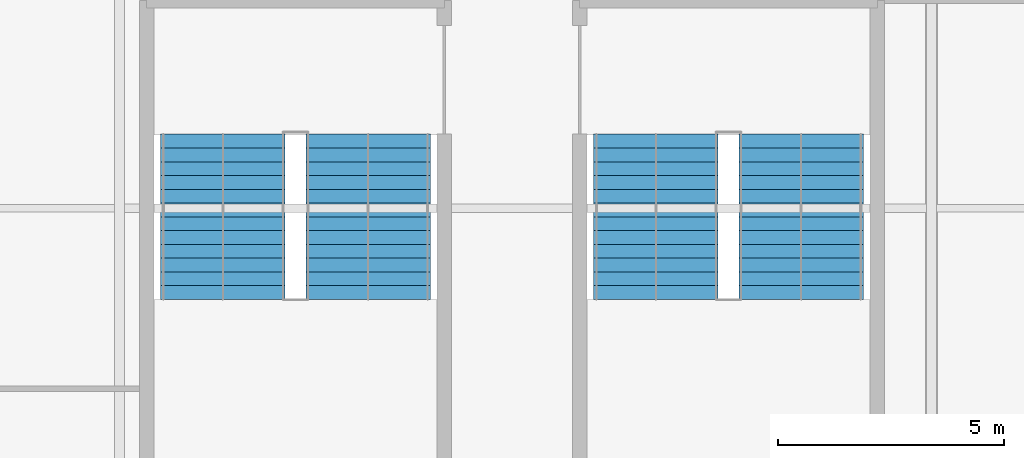
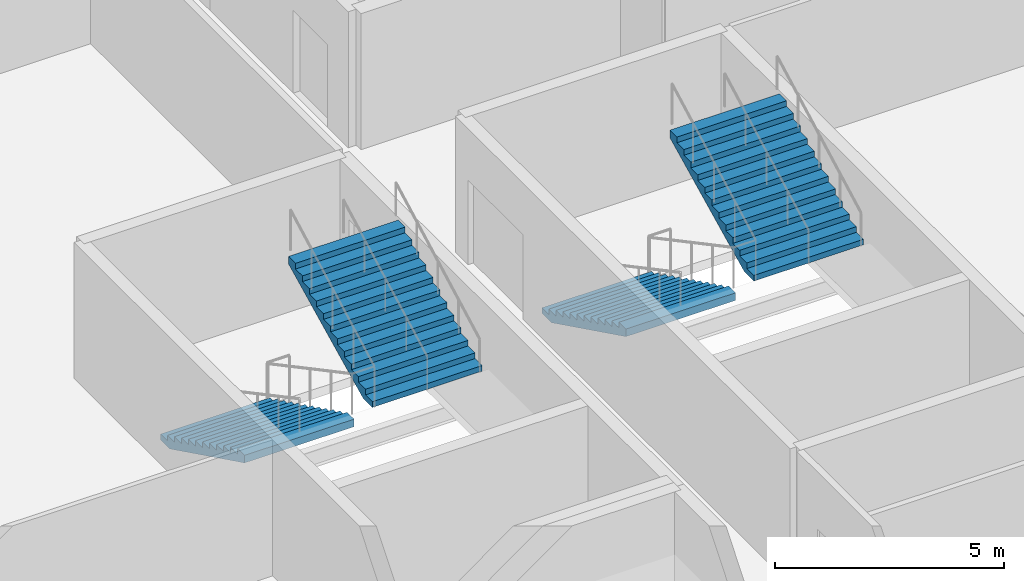
# One storey, part 26 of 31: 4 stair flights, 2 elements without a shape of their own.
"""IFC4 building model written with IfcOpenShell, lengths in metres."""

from ifc_helpers import new_model, si_unit, direction, frame, origin, place, context, subcontext, project, spatial, polygons, material, type_object, element, aggregate, save


model = new_model("IFC4")

# Units and contexts
model_context = context("Model", 3, precision=1e-05, world=origin(), true_north=direction((0.0, 1.0)))
body_context = subcontext(model_context, "Body", "Model", "MODEL_VIEW")
ifc_project = project(units=[si_unit("LENGTHUNIT", "METRE"), si_unit("AREAUNIT", "SQUARE_METRE"), si_unit("VOLUMEUNIT", "CUBIC_METRE"), si_unit("PLANEANGLEUNIT", "RADIAN"), si_unit("MASSUNIT", "GRAM", prefix="KILO")], contexts=[model_context])

# Site, building, storey
site_placement = place(None, origin())
site = spatial("IfcSite", under=ifc_project, at=site_placement, CompositionType="ELEMENT")
building_placement = place(site_placement, origin())
building = spatial("IfcBuilding", under=site, at=building_placement, Name="Kisiwana Market Hall", CompositionType="ELEMENT")
storey_placement = place(building_placement, frame((0.0, 0.0, 45.60009765625)))
storey = spatial("IfcBuildingStorey", under=building, at=storey_placement, Name="L10", CompositionType="ELEMENT", Elevation=45.60009765625)

# Stair, stair flights
ifc_material_1 = material(Name="Concrete C32/40", Category="concrete")
stair_type = type_object("IfcStairType", Name="ST-ESC-3900", PredefinedType="TWO_STRAIGHT_RUN_STAIR", material=ifc_material_1)
stair_1_placement = place(storey_placement, origin())
stair_1 = element("IfcStair", 1, at=stair_1_placement, inside=storey, type_object=stair_type, Name="Escape stair ST-E4-L10", PredefinedType="TWO_STRAIGHT_RUN_STAIR")
ifc_material_2 = material(Name="Concrete C32/40", Category="concrete")
stair_flight_type = type_object("IfcStairFlightType", Name="SF-ESC-3900", PredefinedType="STRAIGHT", material=ifc_material_2)
stair_flight_1_placement = place(storey_placement, frame((182.889892578125, 77.639892578125, 0.0), z_axis=(0.0, 0.0, 1.0), x_axis=(0.0, -1.0, 0.0)))
stair_flight_1 = element("IfcStairFlight", 2, at=stair_flight_1_placement, type_object=stair_flight_type, Name="ST-E4-L10 flight 1", NumberOfRisers=13, NumberOfTreads=12, PredefinedType="STRAIGHT", RiserHeight=0.15, TreadLength=0.305, context=body_context, shape_type="Tessellation", body=[
    polygons([(0.0, -1.380127, 0.0), (0.0, -0.690125, 0.0), (0.0, -0.000122, 0.0), (0.0, 0.68988, 0.0), (0.0, 1.379883, 0.0), (0.0, -1.380127, 0.149902), (0.0, -0.690125, 0.149902), (0.0, -0.000122, 0.149902), (0.0, 0.68988, 0.149902), (0.0, 1.379883, 0.149902), (0.304932, -1.380127, 0.149902), (0.304932, -0.690125, 0.149902), (0.304932, -0.000122, 0.149902), (0.304932, 0.68988, 0.149902), (0.304932, 1.379883, 0.149902), (0.304932, -1.380127, 0.300049), (0.304932, -0.690125, 0.300049), (0.304932, -0.000122, 0.300049), (0.304932, 0.68988, 0.300049), (0.304932, 1.379883, 0.300049), (0.610107, -1.380127, 0.300049), (0.610107, -0.690125, 0.300049), (0.610107, -0.000122, 0.300049), (0.610107, 0.68988, 0.300049), (0.610107, 1.379883, 0.300049), (0.610107, -1.380127, 0.449951), (0.610107, -0.690125, 0.449951), (0.610107, -0.000122, 0.449951), (0.610107, 0.68988, 0.449951), (0.610107, 1.379883, 0.449951), (0.915039, -1.380127, 0.449951), (0.915039, -0.690125, 0.449951), (0.915039, -0.000122, 0.449951), (0.915039, 0.68988, 0.449951), (0.915039, 1.379883, 0.449951), (0.915039, -1.380127, 0.600098), (0.915039, -0.690125, 0.600098), (0.915039, -0.000122, 0.600098), (0.915039, 0.68988, 0.600098), (0.915039, 1.379883, 0.600098), (1.219971, -1.380127, 0.600098), (1.219971, -0.690125, 0.600098), (1.219971, -0.000122, 0.600098), (1.219971, 0.68988, 0.600098), (1.219971, 1.379883, 0.600098), (1.219971, -1.380127, 0.75), (1.219971, -0.690125, 0.75), (1.219971, -0.000122, 0.75), (1.219971, 0.68988, 0.75), (1.219971, 1.379883, 0.75), (1.524902, -1.380127, 0.75), (1.524902, -0.690125, 0.75), (1.524902, -0.000122, 0.75), (1.524902, 0.68988, 0.75), (1.524902, 1.379883, 0.75), (1.524902, -1.380127, 0.899902), (1.524902, -0.690125, 0.899902), (1.524902, -0.000122, 0.899902), (1.524902, 0.68988, 0.899902), (1.524902, 1.379883, 0.899902), (1.830078, -1.380127, 0.899902), (1.830078, -0.690125, 0.899902), (1.830078, -0.000122, 0.899902), (1.830078, 0.68988, 0.899902), (1.830078, 1.379883, 0.899902), (1.830078, -1.380127, 1.050049), (1.830078, -0.690125, 1.050049), (1.830078, -0.000122, 1.050049), (1.830078, 0.68988, 1.050049), (1.830078, 1.379883, 1.050049), (2.13501, -1.380127, 1.050049), (2.13501, -0.690125, 1.050049), (2.13501, -0.000122, 1.050049), (2.13501, 0.68988, 1.050049), (2.13501, 1.379883, 1.050049), (2.13501, -1.380127, 1.199951), (2.13501, -0.690125, 1.199951), (2.13501, -0.000122, 1.199951), (2.13501, 0.68988, 1.199951), (2.13501, 1.379883, 1.199951), (2.439941, -1.380127, 1.199951), (2.439941, -0.690125, 1.199951), (2.439941, -0.000122, 1.199951), (2.439941, 0.68988, 1.199951), (2.439941, 1.379883, 1.199951), (2.439941, -1.380127, 1.350098), (2.439941, -0.690125, 1.350098), (2.439941, -0.000122, 1.350098), (2.439941, 0.68988, 1.350098), (2.439941, 1.379883, 1.350098), (2.745117, -1.380127, 1.350098), (2.745117, -0.690125, 1.350098), (2.745117, -0.000122, 1.350098), (2.745117, 0.68988, 1.350098), (2.745117, 1.379883, 1.350098), (2.745117, -1.380127, 1.5), (2.745117, -0.690125, 1.5), (2.745117, -0.000122, 1.5), (2.745117, 0.68988, 1.5), (2.745117, 1.379883, 1.5), (3.050049, -1.380127, 1.5), (3.050049, -0.690125, 1.5), (3.050049, -0.000122, 1.5), (3.050049, 0.68988, 1.5), (3.050049, 1.379883, 1.5), (3.050049, -1.380127, 1.649902), (3.050049, -0.690125, 1.649902), (3.050049, -0.000122, 1.649902), (3.050049, 0.68988, 1.649902), (3.050049, 1.379883, 1.649902), (3.35498, -1.380127, 1.649902), (3.35498, -0.690125, 1.649902), (3.35498, -0.000122, 1.649902), (3.35498, 0.68988, 1.649902), (3.35498, 1.379883, 1.649902), (3.35498, -1.380127, 1.800049), (3.35498, -0.690125, 1.800049), (3.35498, -0.000122, 1.800049), (3.35498, 0.68988, 1.800049), (3.35498, 1.379883, 1.800049), (3.659912, -1.380127, 1.800049), (3.659912, -0.690125, 1.800049), (3.659912, -0.000122, 1.800049), (3.659912, 0.68988, 1.800049), (3.659912, 1.379883, 1.800049), (3.659912, -1.380127, 1.599365), (3.659912, -0.690125, 1.599365), (3.659912, -0.000122, 1.599365), (3.659912, 0.68988, 1.599365), (3.659912, 1.379883, 1.599365), (0.407715, -1.380127, 0.0), (0.407715, -0.690125, 0.0), (0.407715, -0.000122, 0.0), (0.407715, 0.68988, 0.0), (0.407715, 1.379883, 0.0)], [[[1, 6, 7, 2]], [[2, 7, 8, 3]], [[3, 8, 9, 4]], [[4, 9, 10, 5]], [[6, 11, 12, 7]], [[7, 12, 13, 8]], [[8, 13, 14, 9]], [[9, 14, 15, 10]], [[11, 16, 17, 12]], [[12, 17, 18, 13]], [[13, 18, 19, 14]], [[14, 19, 20, 15]], [[16, 21, 22, 17]], [[17, 22, 23, 18]], [[18, 23, 24, 19]], [[19, 24, 25, 20]], [[21, 26, 27, 22]], [[22, 27, 28, 23]], [[23, 28, 29, 24]], [[24, 29, 30, 25]], [[26, 31, 32, 27]], [[27, 32, 33, 28]], [[28, 33, 34, 29]], [[29, 34, 35, 30]], [[31, 36, 37, 32]], [[32, 37, 38, 33]], [[33, 38, 39, 34]], [[34, 39, 40, 35]], [[36, 41, 42, 37]], [[37, 42, 43, 38]], [[38, 43, 44, 39]], [[39, 44, 45, 40]], [[41, 46, 47, 42]], [[42, 47, 48, 43]], [[43, 48, 49, 44]], [[44, 49, 50, 45]], [[46, 51, 52, 47]], [[47, 52, 53, 48]], [[48, 53, 54, 49]], [[49, 54, 55, 50]], [[51, 56, 57, 52]], [[52, 57, 58, 53]], [[53, 58, 59, 54]], [[54, 59, 60, 55]], [[56, 61, 62, 57]], [[57, 62, 63, 58]], [[58, 63, 64, 59]], [[59, 64, 65, 60]], [[61, 66, 67, 62]], [[62, 67, 68, 63]], [[63, 68, 69, 64]], [[64, 69, 70, 65]], [[66, 71, 72, 67]], [[67, 72, 73, 68]], [[68, 73, 74, 69]], [[69, 74, 75, 70]], [[71, 76, 77, 72]], [[72, 77, 78, 73]], [[73, 78, 79, 74]], [[74, 79, 80, 75]], [[76, 81, 82, 77]], [[77, 82, 83, 78]], [[78, 83, 84, 79]], [[79, 84, 85, 80]], [[81, 86, 87, 82]], [[82, 87, 88, 83]], [[83, 88, 89, 84]], [[84, 89, 90, 85]], [[86, 91, 92, 87]], [[87, 92, 93, 88]], [[88, 93, 94, 89]], [[89, 94, 95, 90]], [[91, 96, 97, 92]], [[92, 97, 98, 93]], [[93, 98, 99, 94]], [[94, 99, 100, 95]], [[96, 101, 102, 97]], [[97, 102, 103, 98]], [[98, 103, 104, 99]], [[99, 104, 105, 100]], [[101, 106, 107, 102]], [[102, 107, 108, 103]], [[103, 108, 109, 104]], [[104, 109, 110, 105]], [[106, 111, 112, 107]], [[107, 112, 113, 108]], [[108, 113, 114, 109]], [[109, 114, 115, 110]], [[111, 116, 117, 112]], [[112, 117, 118, 113]], [[113, 118, 119, 114]], [[114, 119, 120, 115]], [[116, 121, 122, 117]], [[117, 122, 123, 118]], [[118, 123, 124, 119]], [[119, 124, 125, 120]], [[121, 126, 127, 122]], [[122, 127, 128, 123]], [[123, 128, 129, 124]], [[124, 129, 130, 125]], [[126, 131, 132, 127]], [[127, 132, 133, 128]], [[128, 133, 134, 129]], [[129, 134, 135, 130]], [[131, 1, 2, 132]], [[132, 2, 3, 133]], [[133, 3, 4, 134]], [[134, 4, 5, 135]], [[131, 126, 121, 116, 111, 106, 101, 96, 91, 86, 81, 76, 71, 66, 61, 56, 51, 46, 41, 36, 31, 26, 21, 16, 11, 6, 1]], [[5, 10, 15, 20, 25, 30, 35, 40, 45, 50, 55, 60, 65, 70, 75, 80, 85, 90, 95, 100, 105, 110, 115, 120, 125, 130, 135]]], closed=True),
])
stair_flight_2_placement = place(storey_placement, frame((186.110107421875, 73.97998046875, 1.949951171875), z_axis=(0.0, 0.0, 1.0), x_axis=(0.0, 1.0, 0.0)))
stair_flight_2 = element("IfcStairFlight", 3, at=stair_flight_2_placement, type_object=stair_flight_type, Name="ST-E4-L10 flight 2", NumberOfRisers=13, NumberOfTreads=12, PredefinedType="STRAIGHT", RiserHeight=0.15, TreadLength=0.305, context=body_context, shape_type="Tessellation", body=[
    polygons([(0.0, -1.380127, 0.0), (0.0, -0.690125, 0.0), (0.0, -0.000122, 0.0), (0.0, 0.68988, 0.0), (0.0, 1.379883, 0.0), (0.0, -1.380127, 0.149902), (0.0, -0.690125, 0.149902), (0.0, -0.000122, 0.149902), (0.0, 0.68988, 0.149902), (0.0, 1.379883, 0.149902), (0.304932, -1.380127, 0.149902), (0.304932, -0.690125, 0.149902), (0.304932, -0.000122, 0.149902), (0.304932, 0.68988, 0.149902), (0.304932, 1.379883, 0.149902), (0.304932, -1.380127, 0.300049), (0.304932, -0.690125, 0.300049), (0.304932, -0.000122, 0.300049), (0.304932, 0.68988, 0.300049), (0.304932, 1.379883, 0.300049), (0.610107, -1.380127, 0.300049), (0.610107, -0.690125, 0.300049), (0.610107, -0.000122, 0.300049), (0.610107, 0.68988, 0.300049), (0.610107, 1.379883, 0.300049), (0.610107, -1.380127, 0.449951), (0.610107, -0.690125, 0.449951), (0.610107, -0.000122, 0.449951), (0.610107, 0.68988, 0.449951), (0.610107, 1.379883, 0.449951), (0.915039, -1.380127, 0.449951), (0.915039, -0.690125, 0.449951), (0.915039, -0.000122, 0.449951), (0.915039, 0.68988, 0.449951), (0.915039, 1.379883, 0.449951), (0.915039, -1.380127, 0.600098), (0.915039, -0.690125, 0.600098), (0.915039, -0.000122, 0.600098), (0.915039, 0.68988, 0.600098), (0.915039, 1.379883, 0.600098), (1.219971, -1.380127, 0.600098), (1.219971, -0.690125, 0.600098), (1.219971, -0.000122, 0.600098), (1.219971, 0.68988, 0.600098), (1.219971, 1.379883, 0.600098), (1.219971, -1.380127, 0.75), (1.219971, -0.690125, 0.75), (1.219971, -0.000122, 0.75), (1.219971, 0.68988, 0.75), (1.219971, 1.379883, 0.75), (1.524902, -1.380127, 0.75), (1.524902, -0.690125, 0.75), (1.524902, -0.000122, 0.75), (1.524902, 0.68988, 0.75), (1.524902, 1.379883, 0.75), (1.524902, -1.380127, 0.899902), (1.524902, -0.690125, 0.899902), (1.524902, -0.000122, 0.899902), (1.524902, 0.68988, 0.899902), (1.524902, 1.379883, 0.899902), (1.830078, -1.380127, 0.899902), (1.830078, -0.690125, 0.899902), (1.830078, -0.000122, 0.899902), (1.830078, 0.68988, 0.899902), (1.830078, 1.379883, 0.899902), (1.830078, -1.380127, 1.050049), (1.830078, -0.690125, 1.050049), (1.830078, -0.000122, 1.050049), (1.830078, 0.68988, 1.050049), (1.830078, 1.379883, 1.050049), (2.13501, -1.380127, 1.050049), (2.13501, -0.690125, 1.050049), (2.13501, -0.000122, 1.050049), (2.13501, 0.68988, 1.050049), (2.13501, 1.379883, 1.050049), (2.13501, -1.380127, 1.199951), (2.13501, -0.690125, 1.199951), (2.13501, -0.000122, 1.199951), (2.13501, 0.68988, 1.199951), (2.13501, 1.379883, 1.199951), (2.439941, -1.380127, 1.199951), (2.439941, -0.690125, 1.199951), (2.439941, -0.000122, 1.199951), (2.439941, 0.68988, 1.199951), (2.439941, 1.379883, 1.199951), (2.439941, -1.380127, 1.350098), (2.439941, -0.690125, 1.350098), (2.439941, -0.000122, 1.350098), (2.439941, 0.68988, 1.350098), (2.439941, 1.379883, 1.350098), (2.745117, -1.380127, 1.350098), (2.745117, -0.690125, 1.350098), (2.745117, -0.000122, 1.350098), (2.745117, 0.68988, 1.350098), (2.745117, 1.379883, 1.350098), (2.745117, -1.380127, 1.5), (2.745117, -0.690125, 1.5), (2.745117, -0.000122, 1.5), (2.745117, 0.68988, 1.5), (2.745117, 1.379883, 1.5), (3.050049, -1.380127, 1.5), (3.050049, -0.690125, 1.5), (3.050049, -0.000122, 1.5), (3.050049, 0.68988, 1.5), (3.050049, 1.379883, 1.5), (3.050049, -1.380127, 1.649902), (3.050049, -0.690125, 1.649902), (3.050049, -0.000122, 1.649902), (3.050049, 0.68988, 1.649902), (3.050049, 1.379883, 1.649902), (3.35498, -1.380127, 1.649902), (3.35498, -0.690125, 1.649902), (3.35498, -0.000122, 1.649902), (3.35498, 0.68988, 1.649902), (3.35498, 1.379883, 1.649902), (3.35498, -1.380127, 1.800049), (3.35498, -0.690125, 1.800049), (3.35498, -0.000122, 1.800049), (3.35498, 0.68988, 1.800049), (3.35498, 1.379883, 1.800049), (3.659912, -1.380127, 1.800049), (3.659912, -0.690125, 1.800049), (3.659912, -0.000122, 1.800049), (3.659912, 0.68988, 1.800049), (3.659912, 1.379883, 1.800049), (3.659912, -1.380127, 1.599365), (3.659912, -0.690125, 1.599365), (3.659912, -0.000122, 1.599365), (3.659912, 0.68988, 1.599365), (3.659912, 1.379883, 1.599365), (0.407715, -1.380127, 0.0), (0.407715, -0.690125, 0.0), (0.407715, -0.000122, 0.0), (0.407715, 0.68988, 0.0), (0.407715, 1.379883, 0.0)], [[[1, 6, 7, 2]], [[2, 7, 8, 3]], [[3, 8, 9, 4]], [[4, 9, 10, 5]], [[6, 11, 12, 7]], [[7, 12, 13, 8]], [[8, 13, 14, 9]], [[9, 14, 15, 10]], [[11, 16, 17, 12]], [[12, 17, 18, 13]], [[13, 18, 19, 14]], [[14, 19, 20, 15]], [[16, 21, 22, 17]], [[17, 22, 23, 18]], [[18, 23, 24, 19]], [[19, 24, 25, 20]], [[21, 26, 27, 22]], [[22, 27, 28, 23]], [[23, 28, 29, 24]], [[24, 29, 30, 25]], [[26, 31, 32, 27]], [[27, 32, 33, 28]], [[28, 33, 34, 29]], [[29, 34, 35, 30]], [[31, 36, 37, 32]], [[32, 37, 38, 33]], [[33, 38, 39, 34]], [[34, 39, 40, 35]], [[36, 41, 42, 37]], [[37, 42, 43, 38]], [[38, 43, 44, 39]], [[39, 44, 45, 40]], [[41, 46, 47, 42]], [[42, 47, 48, 43]], [[43, 48, 49, 44]], [[44, 49, 50, 45]], [[46, 51, 52, 47]], [[47, 52, 53, 48]], [[48, 53, 54, 49]], [[49, 54, 55, 50]], [[51, 56, 57, 52]], [[52, 57, 58, 53]], [[53, 58, 59, 54]], [[54, 59, 60, 55]], [[56, 61, 62, 57]], [[57, 62, 63, 58]], [[58, 63, 64, 59]], [[59, 64, 65, 60]], [[61, 66, 67, 62]], [[62, 67, 68, 63]], [[63, 68, 69, 64]], [[64, 69, 70, 65]], [[66, 71, 72, 67]], [[67, 72, 73, 68]], [[68, 73, 74, 69]], [[69, 74, 75, 70]], [[71, 76, 77, 72]], [[72, 77, 78, 73]], [[73, 78, 79, 74]], [[74, 79, 80, 75]], [[76, 81, 82, 77]], [[77, 82, 83, 78]], [[78, 83, 84, 79]], [[79, 84, 85, 80]], [[81, 86, 87, 82]], [[82, 87, 88, 83]], [[83, 88, 89, 84]], [[84, 89, 90, 85]], [[86, 91, 92, 87]], [[87, 92, 93, 88]], [[88, 93, 94, 89]], [[89, 94, 95, 90]], [[91, 96, 97, 92]], [[92, 97, 98, 93]], [[93, 98, 99, 94]], [[94, 99, 100, 95]], [[96, 101, 102, 97]], [[97, 102, 103, 98]], [[98, 103, 104, 99]], [[99, 104, 105, 100]], [[101, 106, 107, 102]], [[102, 107, 108, 103]], [[103, 108, 109, 104]], [[104, 109, 110, 105]], [[106, 111, 112, 107]], [[107, 112, 113, 108]], [[108, 113, 114, 109]], [[109, 114, 115, 110]], [[111, 116, 117, 112]], [[112, 117, 118, 113]], [[113, 118, 119, 114]], [[114, 119, 120, 115]], [[116, 121, 122, 117]], [[117, 122, 123, 118]], [[118, 123, 124, 119]], [[119, 124, 125, 120]], [[121, 126, 127, 122]], [[122, 127, 128, 123]], [[123, 128, 129, 124]], [[124, 129, 130, 125]], [[126, 131, 132, 127]], [[127, 132, 133, 128]], [[128, 133, 134, 129]], [[129, 134, 135, 130]], [[131, 1, 2, 132]], [[132, 2, 3, 133]], [[133, 3, 4, 134]], [[134, 4, 5, 135]], [[131, 126, 121, 116, 111, 106, 101, 96, 91, 86, 81, 76, 71, 66, 61, 56, 51, 46, 41, 36, 31, 26, 21, 16, 11, 6, 1]], [[5, 10, 15, 20, 25, 30, 35, 40, 45, 50, 55, 60, 65, 70, 75, 80, 85, 90, 95, 100, 105, 110, 115, 120, 125, 130, 135]]], closed=True),
])
aggregate(stair_1, [stair_flight_1, stair_flight_2])

stair_2_placement = place(storey_placement, origin())
stair_2 = element("IfcStair", 4, at=stair_2_placement, inside=storey, type_object=stair_type, Name="Escape stair ST-E8-L10", PredefinedType="TWO_STRAIGHT_RUN_STAIR")
stair_flight_3_placement = place(storey_placement, frame((173.2900390625, 77.639892578125, 0.0), z_axis=(0.0, 0.0, 1.0), x_axis=(0.0, -1.0, 0.0)))
stair_flight_3 = element("IfcStairFlight", 5, at=stair_flight_3_placement, type_object=stair_flight_type, Name="ST-E8-L10 flight 1", NumberOfRisers=13, NumberOfTreads=12, PredefinedType="STRAIGHT", RiserHeight=0.15, TreadLength=0.305, context=body_context, shape_type="Tessellation", body=[
    polygons([(0.0, -1.380127, 0.0), (0.0, -0.690125, 0.0), (0.0, -0.000122, 0.0), (0.0, 0.68988, 0.0), (0.0, 1.379883, 0.0), (0.0, -1.380127, 0.149902), (0.0, -0.690125, 0.149902), (0.0, -0.000122, 0.149902), (0.0, 0.68988, 0.149902), (0.0, 1.379883, 0.149902), (0.304932, -1.380127, 0.149902), (0.304932, -0.690125, 0.149902), (0.304932, -0.000122, 0.149902), (0.304932, 0.68988, 0.149902), (0.304932, 1.379883, 0.149902), (0.304932, -1.380127, 0.300049), (0.304932, -0.690125, 0.300049), (0.304932, -0.000122, 0.300049), (0.304932, 0.68988, 0.300049), (0.304932, 1.379883, 0.300049), (0.610107, -1.380127, 0.300049), (0.610107, -0.690125, 0.300049), (0.610107, -0.000122, 0.300049), (0.610107, 0.68988, 0.300049), (0.610107, 1.379883, 0.300049), (0.610107, -1.380127, 0.449951), (0.610107, -0.690125, 0.449951), (0.610107, -0.000122, 0.449951), (0.610107, 0.68988, 0.449951), (0.610107, 1.379883, 0.449951), (0.915039, -1.380127, 0.449951), (0.915039, -0.690125, 0.449951), (0.915039, -0.000122, 0.449951), (0.915039, 0.68988, 0.449951), (0.915039, 1.379883, 0.449951), (0.915039, -1.380127, 0.600098), (0.915039, -0.690125, 0.600098), (0.915039, -0.000122, 0.600098), (0.915039, 0.68988, 0.600098), (0.915039, 1.379883, 0.600098), (1.219971, -1.380127, 0.600098), (1.219971, -0.690125, 0.600098), (1.219971, -0.000122, 0.600098), (1.219971, 0.68988, 0.600098), (1.219971, 1.379883, 0.600098), (1.219971, -1.380127, 0.75), (1.219971, -0.690125, 0.75), (1.219971, -0.000122, 0.75), (1.219971, 0.68988, 0.75), (1.219971, 1.379883, 0.75), (1.524902, -1.380127, 0.75), (1.524902, -0.690125, 0.75), (1.524902, -0.000122, 0.75), (1.524902, 0.68988, 0.75), (1.524902, 1.379883, 0.75), (1.524902, -1.380127, 0.899902), (1.524902, -0.690125, 0.899902), (1.524902, -0.000122, 0.899902), (1.524902, 0.68988, 0.899902), (1.524902, 1.379883, 0.899902), (1.830078, -1.380127, 0.899902), (1.830078, -0.690125, 0.899902), (1.830078, -0.000122, 0.899902), (1.830078, 0.68988, 0.899902), (1.830078, 1.379883, 0.899902), (1.830078, -1.380127, 1.050049), (1.830078, -0.690125, 1.050049), (1.830078, -0.000122, 1.050049), (1.830078, 0.68988, 1.050049), (1.830078, 1.379883, 1.050049), (2.13501, -1.380127, 1.050049), (2.13501, -0.690125, 1.050049), (2.13501, -0.000122, 1.050049), (2.13501, 0.68988, 1.050049), (2.13501, 1.379883, 1.050049), (2.13501, -1.380127, 1.199951), (2.13501, -0.690125, 1.199951), (2.13501, -0.000122, 1.199951), (2.13501, 0.68988, 1.199951), (2.13501, 1.379883, 1.199951), (2.439941, -1.380127, 1.199951), (2.439941, -0.690125, 1.199951), (2.439941, -0.000122, 1.199951), (2.439941, 0.68988, 1.199951), (2.439941, 1.379883, 1.199951), (2.439941, -1.380127, 1.350098), (2.439941, -0.690125, 1.350098), (2.439941, -0.000122, 1.350098), (2.439941, 0.68988, 1.350098), (2.439941, 1.379883, 1.350098), (2.745117, -1.380127, 1.350098), (2.745117, -0.690125, 1.350098), (2.745117, -0.000122, 1.350098), (2.745117, 0.68988, 1.350098), (2.745117, 1.379883, 1.350098), (2.745117, -1.380127, 1.5), (2.745117, -0.690125, 1.5), (2.745117, -0.000122, 1.5), (2.745117, 0.68988, 1.5), (2.745117, 1.379883, 1.5), (3.050049, -1.380127, 1.5), (3.050049, -0.690125, 1.5), (3.050049, -0.000122, 1.5), (3.050049, 0.68988, 1.5), (3.050049, 1.379883, 1.5), (3.050049, -1.380127, 1.649902), (3.050049, -0.690125, 1.649902), (3.050049, -0.000122, 1.649902), (3.050049, 0.68988, 1.649902), (3.050049, 1.379883, 1.649902), (3.35498, -1.380127, 1.649902), (3.35498, -0.690125, 1.649902), (3.35498, -0.000122, 1.649902), (3.35498, 0.68988, 1.649902), (3.35498, 1.379883, 1.649902), (3.35498, -1.380127, 1.800049), (3.35498, -0.690125, 1.800049), (3.35498, -0.000122, 1.800049), (3.35498, 0.68988, 1.800049), (3.35498, 1.379883, 1.800049), (3.659912, -1.380127, 1.800049), (3.659912, -0.690125, 1.800049), (3.659912, -0.000122, 1.800049), (3.659912, 0.68988, 1.800049), (3.659912, 1.379883, 1.800049), (3.659912, -1.380127, 1.599365), (3.659912, -0.690125, 1.599365), (3.659912, -0.000122, 1.599365), (3.659912, 0.68988, 1.599365), (3.659912, 1.379883, 1.599365), (0.407715, -1.380127, 0.0), (0.407715, -0.690125, 0.0), (0.407715, -0.000122, 0.0), (0.407715, 0.68988, 0.0), (0.407715, 1.379883, 0.0)], [[[1, 6, 7, 2]], [[2, 7, 8, 3]], [[3, 8, 9, 4]], [[4, 9, 10, 5]], [[6, 11, 12, 7]], [[7, 12, 13, 8]], [[8, 13, 14, 9]], [[9, 14, 15, 10]], [[11, 16, 17, 12]], [[12, 17, 18, 13]], [[13, 18, 19, 14]], [[14, 19, 20, 15]], [[16, 21, 22, 17]], [[17, 22, 23, 18]], [[18, 23, 24, 19]], [[19, 24, 25, 20]], [[21, 26, 27, 22]], [[22, 27, 28, 23]], [[23, 28, 29, 24]], [[24, 29, 30, 25]], [[26, 31, 32, 27]], [[27, 32, 33, 28]], [[28, 33, 34, 29]], [[29, 34, 35, 30]], [[31, 36, 37, 32]], [[32, 37, 38, 33]], [[33, 38, 39, 34]], [[34, 39, 40, 35]], [[36, 41, 42, 37]], [[37, 42, 43, 38]], [[38, 43, 44, 39]], [[39, 44, 45, 40]], [[41, 46, 47, 42]], [[42, 47, 48, 43]], [[43, 48, 49, 44]], [[44, 49, 50, 45]], [[46, 51, 52, 47]], [[47, 52, 53, 48]], [[48, 53, 54, 49]], [[49, 54, 55, 50]], [[51, 56, 57, 52]], [[52, 57, 58, 53]], [[53, 58, 59, 54]], [[54, 59, 60, 55]], [[56, 61, 62, 57]], [[57, 62, 63, 58]], [[58, 63, 64, 59]], [[59, 64, 65, 60]], [[61, 66, 67, 62]], [[62, 67, 68, 63]], [[63, 68, 69, 64]], [[64, 69, 70, 65]], [[66, 71, 72, 67]], [[67, 72, 73, 68]], [[68, 73, 74, 69]], [[69, 74, 75, 70]], [[71, 76, 77, 72]], [[72, 77, 78, 73]], [[73, 78, 79, 74]], [[74, 79, 80, 75]], [[76, 81, 82, 77]], [[77, 82, 83, 78]], [[78, 83, 84, 79]], [[79, 84, 85, 80]], [[81, 86, 87, 82]], [[82, 87, 88, 83]], [[83, 88, 89, 84]], [[84, 89, 90, 85]], [[86, 91, 92, 87]], [[87, 92, 93, 88]], [[88, 93, 94, 89]], [[89, 94, 95, 90]], [[91, 96, 97, 92]], [[92, 97, 98, 93]], [[93, 98, 99, 94]], [[94, 99, 100, 95]], [[96, 101, 102, 97]], [[97, 102, 103, 98]], [[98, 103, 104, 99]], [[99, 104, 105, 100]], [[101, 106, 107, 102]], [[102, 107, 108, 103]], [[103, 108, 109, 104]], [[104, 109, 110, 105]], [[106, 111, 112, 107]], [[107, 112, 113, 108]], [[108, 113, 114, 109]], [[109, 114, 115, 110]], [[111, 116, 117, 112]], [[112, 117, 118, 113]], [[113, 118, 119, 114]], [[114, 119, 120, 115]], [[116, 121, 122, 117]], [[117, 122, 123, 118]], [[118, 123, 124, 119]], [[119, 124, 125, 120]], [[121, 126, 127, 122]], [[122, 127, 128, 123]], [[123, 128, 129, 124]], [[124, 129, 130, 125]], [[126, 131, 132, 127]], [[127, 132, 133, 128]], [[128, 133, 134, 129]], [[129, 134, 135, 130]], [[131, 1, 2, 132]], [[132, 2, 3, 133]], [[133, 3, 4, 134]], [[134, 4, 5, 135]], [[131, 126, 121, 116, 111, 106, 101, 96, 91, 86, 81, 76, 71, 66, 61, 56, 51, 46, 41, 36, 31, 26, 21, 16, 11, 6, 1]], [[5, 10, 15, 20, 25, 30, 35, 40, 45, 50, 55, 60, 65, 70, 75, 80, 85, 90, 95, 100, 105, 110, 115, 120, 125, 130, 135]]], closed=True),
])
stair_flight_4_placement = place(storey_placement, frame((176.510009765625, 73.97998046875, 1.949951171875), z_axis=(0.0, 0.0, 1.0), x_axis=(0.0, 1.0, 0.0)))
stair_flight_4 = element("IfcStairFlight", 6, at=stair_flight_4_placement, type_object=stair_flight_type, Name="ST-E8-L10 flight 2", NumberOfRisers=13, NumberOfTreads=12, PredefinedType="STRAIGHT", RiserHeight=0.15, TreadLength=0.305, context=body_context, shape_type="Tessellation", body=[
    polygons([(0.0, -1.380127, 0.0), (0.0, -0.690125, 0.0), (0.0, -0.000122, 0.0), (0.0, 0.68988, 0.0), (0.0, 1.379883, 0.0), (0.0, -1.380127, 0.149902), (0.0, -0.690125, 0.149902), (0.0, -0.000122, 0.149902), (0.0, 0.68988, 0.149902), (0.0, 1.379883, 0.149902), (0.304932, -1.380127, 0.149902), (0.304932, -0.690125, 0.149902), (0.304932, -0.000122, 0.149902), (0.304932, 0.68988, 0.149902), (0.304932, 1.379883, 0.149902), (0.304932, -1.380127, 0.300049), (0.304932, -0.690125, 0.300049), (0.304932, -0.000122, 0.300049), (0.304932, 0.68988, 0.300049), (0.304932, 1.379883, 0.300049), (0.610107, -1.380127, 0.300049), (0.610107, -0.690125, 0.300049), (0.610107, -0.000122, 0.300049), (0.610107, 0.68988, 0.300049), (0.610107, 1.379883, 0.300049), (0.610107, -1.380127, 0.449951), (0.610107, -0.690125, 0.449951), (0.610107, -0.000122, 0.449951), (0.610107, 0.68988, 0.449951), (0.610107, 1.379883, 0.449951), (0.915039, -1.380127, 0.449951), (0.915039, -0.690125, 0.449951), (0.915039, -0.000122, 0.449951), (0.915039, 0.68988, 0.449951), (0.915039, 1.379883, 0.449951), (0.915039, -1.380127, 0.600098), (0.915039, -0.690125, 0.600098), (0.915039, -0.000122, 0.600098), (0.915039, 0.68988, 0.600098), (0.915039, 1.379883, 0.600098), (1.219971, -1.380127, 0.600098), (1.219971, -0.690125, 0.600098), (1.219971, -0.000122, 0.600098), (1.219971, 0.68988, 0.600098), (1.219971, 1.379883, 0.600098), (1.219971, -1.380127, 0.75), (1.219971, -0.690125, 0.75), (1.219971, -0.000122, 0.75), (1.219971, 0.68988, 0.75), (1.219971, 1.379883, 0.75), (1.524902, -1.380127, 0.75), (1.524902, -0.690125, 0.75), (1.524902, -0.000122, 0.75), (1.524902, 0.68988, 0.75), (1.524902, 1.379883, 0.75), (1.524902, -1.380127, 0.899902), (1.524902, -0.690125, 0.899902), (1.524902, -0.000122, 0.899902), (1.524902, 0.68988, 0.899902), (1.524902, 1.379883, 0.899902), (1.830078, -1.380127, 0.899902), (1.830078, -0.690125, 0.899902), (1.830078, -0.000122, 0.899902), (1.830078, 0.68988, 0.899902), (1.830078, 1.379883, 0.899902), (1.830078, -1.380127, 1.050049), (1.830078, -0.690125, 1.050049), (1.830078, -0.000122, 1.050049), (1.830078, 0.68988, 1.050049), (1.830078, 1.379883, 1.050049), (2.13501, -1.380127, 1.050049), (2.13501, -0.690125, 1.050049), (2.13501, -0.000122, 1.050049), (2.13501, 0.68988, 1.050049), (2.13501, 1.379883, 1.050049), (2.13501, -1.380127, 1.199951), (2.13501, -0.690125, 1.199951), (2.13501, -0.000122, 1.199951), (2.13501, 0.68988, 1.199951), (2.13501, 1.379883, 1.199951), (2.439941, -1.380127, 1.199951), (2.439941, -0.690125, 1.199951), (2.439941, -0.000122, 1.199951), (2.439941, 0.68988, 1.199951), (2.439941, 1.379883, 1.199951), (2.439941, -1.380127, 1.350098), (2.439941, -0.690125, 1.350098), (2.439941, -0.000122, 1.350098), (2.439941, 0.68988, 1.350098), (2.439941, 1.379883, 1.350098), (2.745117, -1.380127, 1.350098), (2.745117, -0.690125, 1.350098), (2.745117, -0.000122, 1.350098), (2.745117, 0.68988, 1.350098), (2.745117, 1.379883, 1.350098), (2.745117, -1.380127, 1.5), (2.745117, -0.690125, 1.5), (2.745117, -0.000122, 1.5), (2.745117, 0.68988, 1.5), (2.745117, 1.379883, 1.5), (3.050049, -1.380127, 1.5), (3.050049, -0.690125, 1.5), (3.050049, -0.000122, 1.5), (3.050049, 0.68988, 1.5), (3.050049, 1.379883, 1.5), (3.050049, -1.380127, 1.649902), (3.050049, -0.690125, 1.649902), (3.050049, -0.000122, 1.649902), (3.050049, 0.68988, 1.649902), (3.050049, 1.379883, 1.649902), (3.35498, -1.380127, 1.649902), (3.35498, -0.690125, 1.649902), (3.35498, -0.000122, 1.649902), (3.35498, 0.68988, 1.649902), (3.35498, 1.379883, 1.649902), (3.35498, -1.380127, 1.800049), (3.35498, -0.690125, 1.800049), (3.35498, -0.000122, 1.800049), (3.35498, 0.68988, 1.800049), (3.35498, 1.379883, 1.800049), (3.659912, -1.380127, 1.800049), (3.659912, -0.690125, 1.800049), (3.659912, -0.000122, 1.800049), (3.659912, 0.68988, 1.800049), (3.659912, 1.379883, 1.800049), (3.659912, -1.380127, 1.599365), (3.659912, -0.690125, 1.599365), (3.659912, -0.000122, 1.599365), (3.659912, 0.68988, 1.599365), (3.659912, 1.379883, 1.599365), (0.407715, -1.380127, 0.0), (0.407715, -0.690125, 0.0), (0.407715, -0.000122, 0.0), (0.407715, 0.68988, 0.0), (0.407715, 1.379883, 0.0)], [[[1, 6, 7, 2]], [[2, 7, 8, 3]], [[3, 8, 9, 4]], [[4, 9, 10, 5]], [[6, 11, 12, 7]], [[7, 12, 13, 8]], [[8, 13, 14, 9]], [[9, 14, 15, 10]], [[11, 16, 17, 12]], [[12, 17, 18, 13]], [[13, 18, 19, 14]], [[14, 19, 20, 15]], [[16, 21, 22, 17]], [[17, 22, 23, 18]], [[18, 23, 24, 19]], [[19, 24, 25, 20]], [[21, 26, 27, 22]], [[22, 27, 28, 23]], [[23, 28, 29, 24]], [[24, 29, 30, 25]], [[26, 31, 32, 27]], [[27, 32, 33, 28]], [[28, 33, 34, 29]], [[29, 34, 35, 30]], [[31, 36, 37, 32]], [[32, 37, 38, 33]], [[33, 38, 39, 34]], [[34, 39, 40, 35]], [[36, 41, 42, 37]], [[37, 42, 43, 38]], [[38, 43, 44, 39]], [[39, 44, 45, 40]], [[41, 46, 47, 42]], [[42, 47, 48, 43]], [[43, 48, 49, 44]], [[44, 49, 50, 45]], [[46, 51, 52, 47]], [[47, 52, 53, 48]], [[48, 53, 54, 49]], [[49, 54, 55, 50]], [[51, 56, 57, 52]], [[52, 57, 58, 53]], [[53, 58, 59, 54]], [[54, 59, 60, 55]], [[56, 61, 62, 57]], [[57, 62, 63, 58]], [[58, 63, 64, 59]], [[59, 64, 65, 60]], [[61, 66, 67, 62]], [[62, 67, 68, 63]], [[63, 68, 69, 64]], [[64, 69, 70, 65]], [[66, 71, 72, 67]], [[67, 72, 73, 68]], [[68, 73, 74, 69]], [[69, 74, 75, 70]], [[71, 76, 77, 72]], [[72, 77, 78, 73]], [[73, 78, 79, 74]], [[74, 79, 80, 75]], [[76, 81, 82, 77]], [[77, 82, 83, 78]], [[78, 83, 84, 79]], [[79, 84, 85, 80]], [[81, 86, 87, 82]], [[82, 87, 88, 83]], [[83, 88, 89, 84]], [[84, 89, 90, 85]], [[86, 91, 92, 87]], [[87, 92, 93, 88]], [[88, 93, 94, 89]], [[89, 94, 95, 90]], [[91, 96, 97, 92]], [[92, 97, 98, 93]], [[93, 98, 99, 94]], [[94, 99, 100, 95]], [[96, 101, 102, 97]], [[97, 102, 103, 98]], [[98, 103, 104, 99]], [[99, 104, 105, 100]], [[101, 106, 107, 102]], [[102, 107, 108, 103]], [[103, 108, 109, 104]], [[104, 109, 110, 105]], [[106, 111, 112, 107]], [[107, 112, 113, 108]], [[108, 113, 114, 109]], [[109, 114, 115, 110]], [[111, 116, 117, 112]], [[112, 117, 118, 113]], [[113, 118, 119, 114]], [[114, 119, 120, 115]], [[116, 121, 122, 117]], [[117, 122, 123, 118]], [[118, 123, 124, 119]], [[119, 124, 125, 120]], [[121, 126, 127, 122]], [[122, 127, 128, 123]], [[123, 128, 129, 124]], [[124, 129, 130, 125]], [[126, 131, 132, 127]], [[127, 132, 133, 128]], [[128, 133, 134, 129]], [[129, 134, 135, 130]], [[131, 1, 2, 132]], [[132, 2, 3, 133]], [[133, 3, 4, 134]], [[134, 4, 5, 135]], [[131, 126, 121, 116, 111, 106, 101, 96, 91, 86, 81, 76, 71, 66, 61, 56, 51, 46, 41, 36, 31, 26, 21, 16, 11, 6, 1]], [[5, 10, 15, 20, 25, 30, 35, 40, 45, 50, 55, 60, 65, 70, 75, 80, 85, 90, 95, 100, 105, 110, 115, 120, 125, 130, 135]]], closed=True),
])
aggregate(stair_2, [stair_flight_3, stair_flight_4])

save(model, "model.ifc")
